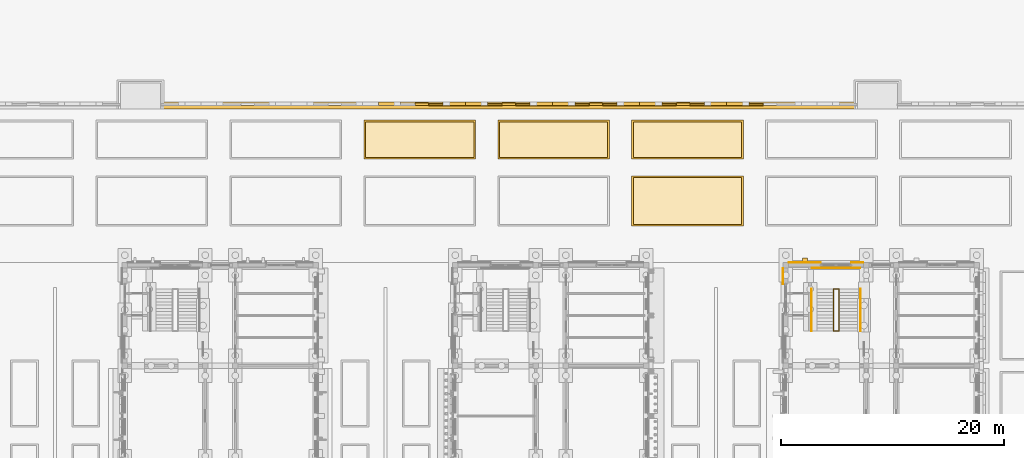
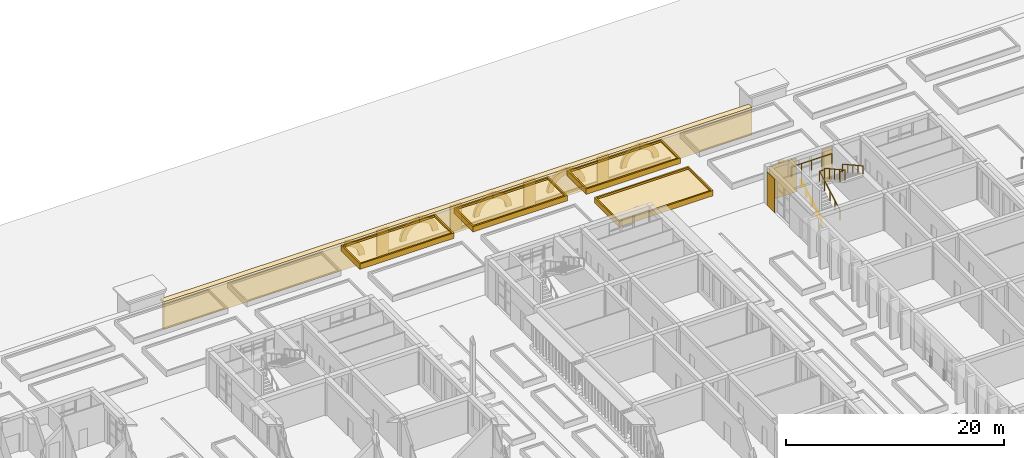
# One storey, part 144 of 161: 31 coverings, 4 railings.
"""IFC4 building model written with IfcOpenShell, lengths in metres."""

from ifc_helpers import new_model, si_unit, direction, frame, origin, origin_2d, place, context, subcontext, project, spatial, polyline, rectangle, circle, outline, extrude, material, layer, layer_set, type_object, element, save


model = new_model("IFC4")

# Units and contexts
model_context = context("Model", 3, precision=1e-05, world=origin(), true_north=direction((0.0, 1.0)))
body_context = subcontext(model_context, "Body", "Model", "MODEL_VIEW")
ifc_project = project(units=[si_unit("LENGTHUNIT", "METRE"), si_unit("AREAUNIT", "SQUARE_METRE"), si_unit("VOLUMEUNIT", "CUBIC_METRE"), si_unit("PLANEANGLEUNIT", "RADIAN"), si_unit("MASSUNIT", "GRAM", prefix="KILO")], contexts=[model_context])

# Site, building, storey
site_placement = place(None, origin())
site = spatial("IfcSite", under=ifc_project, at=site_placement, CompositionType="ELEMENT")
building_placement = place(site_placement, origin())
building = spatial("IfcBuilding", under=site, at=building_placement, Name="Elbe Cascade School", CompositionType="ELEMENT")
storey_placement = place(building_placement, origin())
storey = spatial("IfcBuildingStorey", under=building, at=storey_placement, Name="L00", CompositionType="ELEMENT", Elevation=0.0)

# Railings
ifc_material_1 = material(Name="Steel S355J2H, painted", Category="steel")
railing_type_1 = type_object("IfcRailingType", Name="Bar stair guard 1100", PredefinedType="GUARDRAIL", material=ifc_material_1)
railing_1_placement = place(storey_placement, frame((162.050048828125, 54.10009765625, 0.16064453125)))
element("IfcRailing", 1, at=railing_1_placement, inside=storey, type_object=railing_type_1, Name="Stair guard D0.N", PredefinedType="GUARDRAIL", context=body_context, shape_type="SweptSolid", body=[
    extrude(circle(Radius=0.02392578125, at=origin_2d()), frame((0.0, 0.0, 1.09619140625), z_axis=(0.0, 0.874659101714, 0.484738543742), x_axis=(-1.0, 0.0, 0.0)), (0.0, 0.0, 1.0), 4.310302734375),
    extrude(circle(Radius=0.02392578125, at=origin_2d()), frame((0.0, 3.77001953125, 3.185546875), z_axis=(1.0, 0.0, 0.0), x_axis=(0.0, 1.0, 0.0)), (0.0, 0.0, 1.0), 0.5),
    extrude(circle(Radius=0.02392578125, at=origin_2d()), frame((0.5, 3.77001953125, 3.185546875), z_axis=(0.0, 0.0, 1.0), x_axis=(1.0, 0.0, 0.0)), (0.0, 0.0, 1.0), 0.16064453125),
    extrude(circle(Radius=0.02392578125, at=origin_2d()), frame((0.5, 3.77001953125, 3.34619140625), z_axis=(0.0, -0.874659101714, 0.484738543742), x_axis=(1.0, 0.0, 0.0)), (0.0, 0.0, 1.0), 4.310302734375),
    extrude(circle(Radius=0.02392578125, at=origin_2d()), frame((0.5, 0.0, 5.435546875), z_axis=(-1.0, 0.0, 0.0), x_axis=(0.0, -1.0, 0.0)), (0.0, 0.0, 1.0), 0.5),
    extrude(circle(Radius=0.02099609375, at=origin_2d()), origin(), (0.0, 0.0, 1.0), 1.072021484375),
    extrude(circle(Radius=0.02099609375, at=origin_2d()), frame((0.0, 0.9423828125, 0.5224609375)), (0.0, 0.0, 1.0), 1.072021484375),
    extrude(circle(Radius=0.02099609375, at=origin_2d()), frame((0.0, 1.885009765625, 1.044677734375)), (0.0, 0.0, 1.0), 1.072021484375),
    extrude(circle(Radius=0.02099609375, at=origin_2d()), frame((0.0, 2.82763671875, 1.56689453125)), (0.0, 0.0, 1.0), 1.072021484375),
    extrude(circle(Radius=0.02099609375, at=origin_2d()), frame((0.0, 3.77001953125, 2.08935546875)), (0.0, 0.0, 1.0), 1.072021484375),
    extrude(circle(Radius=0.02099609375, at=origin_2d()), frame((0.5, 3.77001953125, 2.08935546875)), (0.0, 0.0, 1.0), 1.072021484375),
    extrude(circle(Radius=0.02099609375, at=origin_2d()), frame((0.5, 3.77001953125, 2.25)), (0.0, 0.0, 1.0), 1.072021484375),
    extrude(circle(Radius=0.02099609375, at=origin_2d()), frame((0.5, 2.82763671875, 2.7724609375)), (0.0, 0.0, 1.0), 1.072021484375),
    extrude(circle(Radius=0.02099609375, at=origin_2d()), frame((0.5, 1.885009765625, 3.294677734375)), (0.0, 0.0, 1.0), 1.072021484375),
    extrude(circle(Radius=0.02099609375, at=origin_2d()), frame((0.5, 0.9423828125, 3.81689453125)), (0.0, 0.0, 1.0), 1.072021484375),
    extrude(circle(Radius=0.02099609375, at=origin_2d()), frame((0.5, 0.0, 4.33935546875)), (0.0, 0.0, 1.0), 1.072021484375),
    extrude(circle(Radius=0.02099609375, at=origin_2d()), frame((0.0, 0.0, 4.33935546875)), (0.0, 0.0, 1.0), 1.072021484375),
])
railing_2_placement = place(storey_placement, frame((160.159912109375, 59.760009765625, 2.25)))
element("IfcRailing", 2, at=railing_2_placement, inside=storey, type_object=railing_type_1, Name="Stair guard D0.N", PredefinedType="GUARDRAIL", context=body_context, shape_type="SweptSolid", body=[
    extrude(circle(Radius=0.02392578125, at=origin_2d()), frame((0.0, 0.0, 1.09619140625), z_axis=(1.0, 0.0, 0.0), x_axis=(0.0, 1.0, 0.0)), (0.0, 0.0, 1.0), 4.280029296875),
    extrude(circle(Radius=0.02099609375, at=origin_2d()), origin(), (0.0, 0.0, 1.0), 1.072021484375),
    extrude(circle(Radius=0.02099609375, at=origin_2d()), frame((1.070068359375, 0.0, 0.0)), (0.0, 0.0, 1.0), 1.072021484375),
    extrude(circle(Radius=0.02099609375, at=origin_2d()), frame((2.14013671875, 0.0, 0.0)), (0.0, 0.0, 1.0), 1.072021484375),
    extrude(circle(Radius=0.02099609375, at=origin_2d()), frame((3.2099609375, 0.0, 0.0)), (0.0, 0.0, 1.0), 1.072021484375),
    extrude(circle(Radius=0.02099609375, at=origin_2d()), frame((4.280029296875, 0.0, 0.0)), (0.0, 0.0, 1.0), 1.072021484375),
])
ifc_material_2 = material(Name="Steel S355J2H, painted", Category="steel")
railing_type_2 = type_object("IfcRailingType", Name="Bar stair handrail 900", PredefinedType="HANDRAIL", material=ifc_material_2)
railing_3_placement = place(storey_placement, frame((160.10009765625, 54.10009765625, 0.16064453125)))
element("IfcRailing", 3, at=railing_3_placement, inside=storey, type_object=railing_type_2, Name="Stair handrail D0.N", PredefinedType="HANDRAIL", context=body_context, shape_type="SweptSolid", body=[
    extrude(circle(Radius=0.02392578125, at=origin_2d()), frame((0.0, 0.0, 0.8759765625), z_axis=(0.0, 0.874659101714, 0.484738543742), x_axis=(-1.0, 0.0, 0.0)), (0.0, 0.0, 1.0), 4.310302734375),
    extrude(circle(Radius=0.02099609375, at=origin_2d()), origin(), (0.0, 0.0, 1.0), 0.851806640625),
    extrude(circle(Radius=0.02099609375, at=origin_2d()), frame((0.0, 0.9423828125, 0.5224609375)), (0.0, 0.0, 1.0), 0.851806640625),
    extrude(circle(Radius=0.02099609375, at=origin_2d()), frame((0.0, 1.885009765625, 1.044677734375)), (0.0, 0.0, 1.0), 0.851806640625),
    extrude(circle(Radius=0.02099609375, at=origin_2d()), frame((0.0, 2.82763671875, 1.56689453125)), (0.0, 0.0, 1.0), 0.851806640625),
    extrude(circle(Radius=0.02099609375, at=origin_2d()), frame((0.0, 3.77001953125, 2.08935546875)), (0.0, 0.0, 1.0), 0.851806640625),
])
railing_4_placement = place(storey_placement, frame((164.5, 57.8701171875, 2.41064453125)))
element("IfcRailing", 4, at=railing_4_placement, inside=storey, type_object=railing_type_2, Name="Stair handrail D0.N", PredefinedType="HANDRAIL", context=body_context, shape_type="SweptSolid", body=[
    extrude(circle(Radius=0.02392578125, at=origin_2d()), frame((0.0, 0.0, 0.8759765625), z_axis=(0.0, -0.874659101714, 0.484738543742), x_axis=(1.0, 0.0, 0.0)), (0.0, 0.0, 1.0), 4.310302734375),
    extrude(circle(Radius=0.02099609375, at=origin_2d()), origin(), (0.0, 0.0, 1.0), 0.851806640625),
    extrude(circle(Radius=0.02099609375, at=origin_2d()), frame((0.0, -0.9423828125, 0.5224609375)), (0.0, 0.0, 1.0), 0.851806640625),
    extrude(circle(Radius=0.02099609375, at=origin_2d()), frame((0.0, -1.885009765625, 1.044677734375)), (0.0, 0.0, 1.0), 0.851806640625),
    extrude(circle(Radius=0.02099609375, at=origin_2d()), frame((0.0, -2.82763671875, 1.56689453125)), (0.0, 0.0, 1.0), 0.851806640625),
    extrude(circle(Radius=0.02099609375, at=origin_2d()), frame((0.0, -3.77001953125, 2.08935546875)), (0.0, 0.0, 1.0), 0.851806640625),
])

# Coverings
ifc_material_3 = material(Name="Precast concrete C40/50", Category="concrete")
covering_type_1 = type_object("IfcCoveringType", Name="Bars envelope Precast concrete gable fin, 450 wide, 400 deep", PredefinedType="CLADDING", material=ifc_material_3)
covering_1_placement = place(storey_placement, frame((159.5, 60.4599609375, 0.0), z_axis=(0.0, 0.0, 1.0), x_axis=(1.0, 0.0, 0.0)))
element("IfcCovering", 5, at=covering_1_placement, inside=storey, type_object=covering_type_1, Name="Fin CV69 D.L00.n.1", PredefinedType="CLADDING", context=body_context, shape_type="SweptSolid", body=[
    extrude(rectangle(XDim=0.449951171875, YDim=0.39990234375, at=origin_2d()), origin(), (0.0, 0.0, 1.0), 3.800048828125),
])
ifc_material_4 = material(Name="Sandstone - red", Category="masonry")
ifc_layer_1 = layer(ifc_material_4, 0.0400390625)
ifc_layer_set_1 = layer_set([ifc_layer_1], Name="Sandstone - red")
covering_type_2 = type_object("IfcCoveringType", Name="Bars envelope Sandstone cladding, red, 40 mm", PredefinedType="CLADDING", material=ifc_layer_set_1)
covering_2_placement = place(storey_placement, frame((157.56005859375, 59.030029296875, 0.0), z_axis=(0.0, 0.0, 1.0), x_axis=(0.0, 1.0, 0.0)))
element("IfcCovering", 6, at=covering_2_placement, inside=storey, type_object=covering_type_2, Name="Sandstone cladding CV48 D.L00.w.6b.1", PredefinedType="CLADDING", context=body_context, shape_type="SweptSolid", body=[
    extrude(rectangle(XDim=1.43994140625, YDim=0.0400390625, at=origin_2d()), origin(), (0.0, 0.0, 1.0), 3.75),
])
covering_3_placement = place(storey_placement, frame((159.5, 60.239990234375, 0.0), z_axis=(0.0, 0.0, 1.0), x_axis=(1.0, 0.0, 0.0)))
element("IfcCovering", 7, at=covering_3_placement, inside=storey, type_object=covering_type_2, Name="Sandstone cladding CV48 D.L00.n.1a.1", PredefinedType="CLADDING", context=body_context, shape_type="SweptSolid", body=[
    extrude(rectangle(XDim=2.89990234375, YDim=0.0400390625, at=origin_2d()), origin(), (0.0, 0.0, 1.0), 3.800048828125),
])
covering_4_placement = place(storey_placement, frame((164.199951171875, 60.239990234375, 0.0), z_axis=(0.0, 0.0, 1.0), x_axis=(1.0, 0.0, 0.0)))
element("IfcCovering", 8, at=covering_4_placement, inside=storey, type_object=covering_type_2, Name="Sandstone cladding CV48 D.L00.n.1b.1", PredefinedType="CLADDING", context=body_context, shape_type="SweptSolid", body=[
    extrude(rectangle(XDim=1.10009765625, YDim=0.0400390625, at=origin_2d()), origin(), (0.0, 0.0, 1.0), 3.800048828125),
])
ifc_material_5 = material(Name="Sandstone - red", Category="masonry")
ifc_layer_2 = layer(ifc_material_5, 0.14990234375)
ifc_layer_set_2 = layer_set([ifc_layer_2], Name="Sandstone - red")
covering_type_3 = type_object("IfcCoveringType", Name="Plinth base course 150x250", PredefinedType="CLADDING", material=ifc_layer_set_2)
covering_5_placement = place(storey_placement, frame((0.0, 0.0, -3.10009765625)))
element("IfcCovering", 9, at=covering_5_placement, inside=storey, type_object=covering_type_3, Name="Plinth base course north 0.3.4", PredefinedType="CLADDING", context=body_context, shape_type="SweptSolid", body=[
    extrude(outline(polyline([(125.800048828125, 74.300048828125), (132.39990234375, 74.300048828125), (132.39990234375, 74.449951171875), (125.800048828125, 74.449951171875), (125.800048828125, 74.300048828125)])), origin(), (0.0, 0.0, 1.0), 0.25),
])
covering_6_placement = place(storey_placement, frame((0.0, 0.0, -3.10009765625)))
element("IfcCovering", 10, at=covering_6_placement, inside=storey, type_object=covering_type_3, Name="Plinth base course north 0.3.5", PredefinedType="CLADDING", context=body_context, shape_type="SweptSolid", body=[
    extrude(outline(polyline([(133.60009765625, 74.300048828125), (140.199951171875, 74.300048828125), (140.199951171875, 74.449951171875), (133.60009765625, 74.449951171875), (133.60009765625, 74.300048828125)])), origin(), (0.0, 0.0, 1.0), 0.25),
])
covering_7_placement = place(storey_placement, frame((0.0, 0.0, -3.10009765625)))
element("IfcCovering", 11, at=covering_7_placement, inside=storey, type_object=covering_type_3, Name="Plinth base course north 0.3.6", PredefinedType="CLADDING", context=body_context, shape_type="SweptSolid", body=[
    extrude(outline(polyline([(141.39990234375, 74.300048828125), (148.0, 74.300048828125), (148.0, 74.449951171875), (141.39990234375, 74.449951171875), (141.39990234375, 74.300048828125)])), origin(), (0.0, 0.0, 1.0), 0.25),
])
covering_8_placement = place(storey_placement, frame((0.0, 0.0, -3.10009765625)))
element("IfcCovering", 12, at=covering_8_placement, inside=storey, type_object=covering_type_3, Name="Plinth base course north 0.3.7", PredefinedType="CLADDING", context=body_context, shape_type="SweptSolid", body=[
    extrude(outline(polyline([(149.199951171875, 74.300048828125), (155.800048828125, 74.300048828125), (155.800048828125, 74.449951171875), (149.199951171875, 74.449951171875), (149.199951171875, 74.300048828125)])), origin(), (0.0, 0.0, 1.0), 0.25),
])
ifc_material_6 = material(Name="Sandstone - red", Category="masonry")
ifc_layer_3 = layer(ifc_material_6, 0.25)
ifc_layer_set_3 = layer_set([ifc_layer_3], Name="Sandstone - red")
covering_type_4 = type_object("IfcCoveringType", Name="Plinth coping 600x250", PredefinedType="CLADDING", material=ifc_layer_set_3)
covering_9_placement = place(storey_placement, frame((0.0, 0.0, -0.25)))
element("IfcCovering", 13, at=covering_9_placement, inside=storey, type_object=covering_type_4, Name="Plinth coping north 3", PredefinedType="CLADDING", context=body_context, shape_type="SweptSolid", body=[
    extrude(outline(polyline([(101.800048828125, 74.0), (164.199951171875, 74.0), (164.199951171875, 74.60009765625), (101.800048828125, 74.60009765625), (101.800048828125, 74.0)])), origin(), (0.0, 0.0, 1.0), 0.25),
])
ifc_material_7 = material(Name="Sandstone - red", Category="masonry")
ifc_layer_4 = layer(ifc_material_7, 0.300048828125)
ifc_layer_set_4 = layer_set([ifc_layer_4], Name="Sandstone - red")
covering_type_5 = type_object("IfcCoveringType", Name="Plinth facing 300", PredefinedType="CLADDING", material=ifc_layer_set_4)
covering_10_placement = place(storey_placement, frame((0.0, 0.0, -3.10009765625)))
element("IfcCovering", 14, at=covering_10_placement, inside=storey, type_object=covering_type_5, Name="Plinth facing north 3", PredefinedType="CLADDING", context=body_context, shape_type="SweptSolid", body=[
    extrude(outline(polyline([(101.800048828125, 74.0), (164.199951171875, 74.0), (164.199951171875, 74.300048828125), (101.800048828125, 74.300048828125), (101.800048828125, 74.0)])), origin(), (0.0, 0.0, 1.0), 2.85009765625),
])
ifc_material_8 = material(Name="Sandstone - red", Category="masonry")
ifc_layer_5 = layer(ifc_material_8, 0.300048828125)
ifc_layer_set_5 = layer_set([ifc_layer_5], Name="Sandstone - red")
covering_type_6 = type_object("IfcCoveringType", Name="Plinth niche arch band 600x300", PredefinedType="CLADDING", material=ifc_layer_set_5)
covering_11_placement = place(storey_placement, frame((123.300048828125, 74.60009765625, -2.35009765625), z_axis=(0.0, 1.0, 0.0), x_axis=(-1.0, 0.0, 0.0)))
element("IfcCovering", 15, at=covering_11_placement, inside=storey, type_object=covering_type_6, Name="Plinth niche arch band north 0.3.3a", PredefinedType="CLADDING", context=body_context, shape_type="SweptSolid", body=[
    extrude(outline(polyline([(0.0, 0.0), (0.60009765625, 0.0), (0.6171875, 0.221923828125), (0.66796875, 0.438720703125), (0.75146484375, 0.64501953125), (0.865234375, 0.83642578125), (1.007080078125, 1.0078125), (1.173583984375, 1.15576171875), (1.36083984375, 1.2763671875), (1.56396484375, 1.366943359375), (1.77880859375, 1.42529296875), (2.0, 1.4501953125), (2.0, 2.05029296875), (1.68505859375, 2.01806640625), (1.378662109375, 1.9375), (1.088134765625, 1.81103515625), (0.82080078125, 1.64111328125), (0.582763671875, 1.43212890625), (0.3798828125, 1.189208984375), (0.216796875, 0.91748046875), (0.097412109375, 0.624267578125), (0.024658203125, 0.31591796875), (0.0, 0.0)])), origin(), (0.0, 0.0, -1.0), 0.300048828125),
])
covering_12_placement = place(storey_placement, frame((131.10009765625, 74.60009765625, -2.35009765625), z_axis=(0.0, 1.0, 0.0), x_axis=(-1.0, 0.0, 0.0)))
element("IfcCovering", 16, at=covering_12_placement, inside=storey, type_object=covering_type_6, Name="Plinth niche arch band north 0.3.4a", PredefinedType="CLADDING", context=body_context, shape_type="SweptSolid", body=[
    extrude(outline(polyline([(0.0, 0.0), (0.60009765625, 0.0), (0.6171875, 0.221923828125), (0.66796875, 0.438720703125), (0.75146484375, 0.64501953125), (0.865234375, 0.83642578125), (1.007080078125, 1.0078125), (1.173583984375, 1.15576171875), (1.36083984375, 1.2763671875), (1.564208984375, 1.366943359375), (1.77880859375, 1.42529296875), (2.0, 1.4501953125), (2.0, 2.05029296875), (1.68505859375, 2.01806640625), (1.378662109375, 1.9375), (1.08837890625, 1.81103515625), (0.82080078125, 1.64111328125), (0.5830078125, 1.43212890625), (0.3798828125, 1.189208984375), (0.216796875, 0.91748046875), (0.097412109375, 0.624267578125), (0.024658203125, 0.31591796875), (0.0, 0.0)])), origin(), (0.0, 0.0, -1.0), 0.300048828125),
])
covering_13_placement = place(storey_placement, frame((127.12451171875, 74.60009765625, -2.0341796875), z_axis=(0.0, 1.0, 0.0), x_axis=(0.229640615433, 0.0, 0.973275494268)))
element("IfcCovering", 17, at=covering_13_placement, inside=storey, type_object=covering_type_6, Name="Plinth niche arch band north 0.3.4b", PredefinedType="CLADDING", context=body_context, shape_type="SweptSolid", body=[
    extrude(outline(polyline([(0.0, 0.0), (0.31681637027835047, 0.0), (0.6296088823787412, 0.04886067811575373), (0.9315267427864806, 0.14518832098545423), (1.2146004998268738, 0.2871006253983999), (1.4726628589921735, 0.4707850101886869), (1.699434396567878, 0.6919536620154754), (1.8891803432917578, 0.9454377254653902), (2.037954729394572, 1.2251445961231031), (2.1416994559003246, 1.5245064373983495), (1.5576391129042635, 1.662313232499558), (1.4826077413227772, 1.4527516467981305), (1.3764806454459984, 1.2570489300335477), (1.2416232623821883, 1.0799146970257483), (1.081295428986102, 0.9255966880936953), (0.8990640204772993, 0.7975176660871937), (0.6996279279093016, 0.6985824547516934), (0.4872108101606949, 0.6318080070394001), (0.26725112189532263, 0.5979178949791348), (0.04458659872137888, 0.5982791165847868), (-0.17533094702333402, 0.6326087149319284), (-0.3130816775211652, 0.04878598802333507), (0.0, 0.0)])), origin(), (0.0, 0.0, -1.0), 0.300048828125),
])
covering_14_placement = place(storey_placement, frame((138.89990234375, 74.60009765625, -2.35009765625), z_axis=(0.0, 1.0, 0.0), x_axis=(-1.0, 0.0, 0.0)))
element("IfcCovering", 18, at=covering_14_placement, inside=storey, type_object=covering_type_6, Name="Plinth niche arch band north 0.3.5a", PredefinedType="CLADDING", context=body_context, shape_type="SweptSolid", body=[
    extrude(outline(polyline([(0.0, 0.0), (0.599853515625, 0.0), (0.616943359375, 0.221923828125), (0.667724609375, 0.438720703125), (0.751220703125, 0.64501953125), (0.864990234375, 0.83642578125), (1.007080078125, 1.0078125), (1.173583984375, 1.15576171875), (1.360595703125, 1.2763671875), (1.56396484375, 1.366943359375), (1.77880859375, 1.42529296875), (2.0, 1.4501953125), (2.0, 2.05029296875), (1.684814453125, 2.01806640625), (1.37841796875, 1.9375), (1.088134765625, 1.81103515625), (0.82080078125, 1.64111328125), (0.582763671875, 1.43212890625), (0.379638671875, 1.189208984375), (0.216552734375, 0.91748046875), (0.09716796875, 0.624267578125), (0.0244140625, 0.31591796875), (0.0, 0.0)])), origin(), (0.0, 0.0, -1.0), 0.300048828125),
])
covering_15_placement = place(storey_placement, frame((134.924560546875, 74.60009765625, -2.0341796875), z_axis=(0.0, 1.0, 0.0), x_axis=(0.229640615433, 0.0, 0.973275494268)))
element("IfcCovering", 19, at=covering_15_placement, inside=storey, type_object=covering_type_6, Name="Plinth niche arch band north 0.3.5b", PredefinedType="CLADDING", context=body_context, shape_type="SweptSolid", body=[
    extrude(outline(polyline([(0.0, 0.0), (0.31681637027835047, 0.0), (0.6296088823787412, 0.04886067811575373), (0.9315267427864806, 0.14518832098545423), (1.2146004998268738, 0.2871006253983999), (1.4726067943887962, 0.47054739410121904), (1.699434396567878, 0.6919536620154754), (1.8891803432917578, 0.9454377254653902), (2.037954729394572, 1.2251445961231031), (2.1416433912969475, 1.5242688213108815), (1.5575830483008861, 1.66207561641209), (1.4825516767193998, 1.4525140307106628), (1.3764806454459984, 1.2570489300335477), (1.2416232623821883, 1.0799146970257483), (1.0812393643827247, 0.9253590720062276), (0.899007955873922, 0.7972800499997257), (0.6996279279093016, 0.6985824547516934), (0.4872108101606949, 0.6318080070394001), (0.26725112189532263, 0.5979178949791348), (0.04458659872137888, 0.5982791165847868), (-0.17533094702333402, 0.6326087149319284), (-0.3131377421245425, 0.04854837193586718), (0.0, 0.0)])), origin(), (0.0, 0.0, -1.0), 0.300048828125),
])
covering_16_placement = place(storey_placement, frame((146.699951171875, 74.60009765625, -2.35009765625), z_axis=(0.0, 1.0, 0.0), x_axis=(-1.0, 0.0, 0.0)))
element("IfcCovering", 20, at=covering_16_placement, inside=storey, type_object=covering_type_6, Name="Plinth niche arch band north 0.3.6a", PredefinedType="CLADDING", context=body_context, shape_type="SweptSolid", body=[
    extrude(outline(polyline([(0.0, 0.0), (0.599853515625, 0.0), (0.616943359375, 0.221923828125), (0.66796875, 0.438720703125), (0.751220703125, 0.64501953125), (0.865234375, 0.83642578125), (1.007080078125, 1.0078125), (1.173583984375, 1.15576171875), (1.360595703125, 1.2763671875), (1.56396484375, 1.366943359375), (1.77880859375, 1.42529296875), (2.0, 1.4501953125), (2.0, 2.05029296875), (1.684814453125, 2.01806640625), (1.37841796875, 1.9375), (1.088134765625, 1.81103515625), (0.82080078125, 1.64111328125), (0.582763671875, 1.43212890625), (0.379638671875, 1.189208984375), (0.216552734375, 0.91748046875), (0.09716796875, 0.624267578125), (0.0244140625, 0.31591796875), (0.0, 0.0)])), origin(), (0.0, 0.0, -1.0), 0.300048828125),
])
covering_17_placement = place(storey_placement, frame((142.724609375, 74.60009765625, -2.0341796875), z_axis=(0.0, 1.0, 0.0), x_axis=(0.229640615433, 0.0, 0.973275494268)))
element("IfcCovering", 21, at=covering_17_placement, inside=storey, type_object=covering_type_6, Name="Plinth niche arch band north 0.3.6b", PredefinedType="CLADDING", context=body_context, shape_type="SweptSolid", body=[
    extrude(outline(polyline([(0.0, 0.0), (0.31681637027835047, 0.0), (0.6296088823787412, 0.04886067811575373), (0.9315267427864806, 0.14518832098545423), (1.2145444352234966, 0.28686300931093206), (1.4726067943887962, 0.47054739410121904), (1.6993783319645008, 0.6917160459280074), (1.8891803432917578, 0.9454377254653902), (2.037954729394572, 1.2251445961231031), (2.1416433912969475, 1.5242688213108815), (1.5575830483008861, 1.66207561641209), (1.4825516767193998, 1.4525140307106628), (1.3764245808426212, 1.2568113139460797), (1.2416232623821883, 1.0799146970257483), (1.0812393643827247, 0.9253590720062276), (0.899007955873922, 0.7972800499997257), (0.6996279279093016, 0.6985824547516934), (0.4872108101606949, 0.6318080070394001), (0.26725112189532263, 0.5979178949791348), (0.04458659872137888, 0.5982791165847868), (-0.17533094702333402, 0.6326087149319284), (-0.3131377421245425, 0.04854837193586718), (0.0, 0.0)])), origin(), (0.0, 0.0, -1.0), 0.300048828125),
])
covering_18_placement = place(storey_placement, frame((154.5, 74.60009765625, -2.35009765625), z_axis=(0.0, 1.0, 0.0), x_axis=(-1.0, 0.0, 0.0)))
element("IfcCovering", 22, at=covering_18_placement, inside=storey, type_object=covering_type_6, Name="Plinth niche arch band north 0.3.7a", PredefinedType="CLADDING", context=body_context, shape_type="SweptSolid", body=[
    extrude(outline(polyline([(0.0, 0.0), (0.60009765625, 0.0), (0.6171875, 0.221923828125), (0.66796875, 0.438720703125), (0.751220703125, 0.64501953125), (0.865234375, 0.83642578125), (1.007080078125, 1.0078125), (1.173583984375, 1.15576171875), (1.360595703125, 1.2763671875), (1.56396484375, 1.366943359375), (1.77880859375, 1.42529296875), (2.0, 1.4501953125), (2.0, 2.05029296875), (1.684814453125, 2.01806640625), (1.37841796875, 1.9375), (1.088134765625, 1.81103515625), (0.82080078125, 1.64111328125), (0.582763671875, 1.43212890625), (0.3798828125, 1.189208984375), (0.216796875, 0.91748046875), (0.097412109375, 0.624267578125), (0.0244140625, 0.31591796875), (0.0, 0.0)])), origin(), (0.0, 0.0, -1.0), 0.300048828125),
])
covering_19_placement = place(storey_placement, frame((150.5244140625, 74.60009765625, -2.0341796875), z_axis=(0.0, 1.0, 0.0), x_axis=(0.230370389833, 0.0, 0.973103017922)))
element("IfcCovering", 23, at=covering_19_placement, inside=storey, type_object=covering_type_6, Name="Plinth niche arch band north 0.3.7b", PredefinedType="CLADDING", context=body_context, shape_type="SweptSolid", body=[
    extrude(outline(polyline([(0.0, 0.0), (0.31687252397341076, 0.0), (0.6297015877312577, 0.04862610780633542), (0.9316915973394285, 0.14472732169500946), (1.2148154490930958, 0.2861897411309222), (1.473015476785429, 0.46968055870342257), (1.6999528003548228, 0.6906790971069348), (1.8898887761347143, 0.9440208027650488), (2.038872866748509, 1.2236160319757423), (2.1428420492777027, 1.522899993079024), (1.558885208933074, 1.6611447240869763), (1.4836967125911875, 1.4516394617641843), (1.37742289317322, 1.2560163825158634), (1.2424327187641548, 1.0789833260459185), (1.0819892105939604, 0.9247855869954477), (0.8996618095377079, 0.7968432525266855), (0.7002078263653932, 0.6982951959470896), (0.4876844528052212, 0.6314424801900893), (0.2677556556673356, 0.5979548948134422), (0.04509146597014914, 0.5984830877928479), (-0.17480027489389646, 0.6329775880622152), (-0.3130450059018489, 0.0490207477175865), (0.0, 0.0)])), origin(), (0.0, 0.0, -1.0), 0.300048828125),
])
ifc_material_9 = material(Name="Sandstone - red", Category="masonry")
ifc_layer_6 = layer(ifc_material_9, 0.25)
ifc_layer_set_6 = layer_set([ifc_layer_6], Name="Sandstone - red")
covering_type_7 = type_object("IfcCoveringType", Name="Plinth pilaster 1200x250", PredefinedType="CLADDING", material=ifc_layer_set_6)
covering_20_placement = place(storey_placement, frame((0.0, 0.0, -3.10009765625)))
element("IfcCovering", 24, at=covering_20_placement, inside=storey, type_object=covering_type_7, Name="Plinth pilaster north 0.3.3", PredefinedType="CLADDING", context=body_context, shape_type="SweptSolid", body=[
    extrude(outline(polyline([(124.60009765625, 74.300048828125), (125.800048828125, 74.300048828125), (125.800048828125, 74.550048828125), (124.60009765625, 74.550048828125), (124.60009765625, 74.300048828125)])), origin(), (0.0, 0.0, 1.0), 2.85009765625),
])
covering_21_placement = place(storey_placement, frame((0.0, 0.0, -3.10009765625)))
element("IfcCovering", 25, at=covering_21_placement, inside=storey, type_object=covering_type_7, Name="Plinth pilaster north 0.3.4", PredefinedType="CLADDING", context=body_context, shape_type="SweptSolid", body=[
    extrude(outline(polyline([(132.39990234375, 74.300048828125), (133.60009765625, 74.300048828125), (133.60009765625, 74.550048828125), (132.39990234375, 74.550048828125), (132.39990234375, 74.300048828125)])), origin(), (0.0, 0.0, 1.0), 2.85009765625),
])
covering_22_placement = place(storey_placement, frame((0.0, 0.0, -3.10009765625)))
element("IfcCovering", 26, at=covering_22_placement, inside=storey, type_object=covering_type_7, Name="Plinth pilaster north 0.3.5", PredefinedType="CLADDING", context=body_context, shape_type="SweptSolid", body=[
    extrude(outline(polyline([(140.199951171875, 74.300048828125), (141.39990234375, 74.300048828125), (141.39990234375, 74.550048828125), (140.199951171875, 74.550048828125), (140.199951171875, 74.300048828125)])), origin(), (0.0, 0.0, 1.0), 2.85009765625),
])
covering_23_placement = place(storey_placement, frame((0.0, 0.0, -3.10009765625)))
element("IfcCovering", 27, at=covering_23_placement, inside=storey, type_object=covering_type_7, Name="Plinth pilaster north 0.3.6", PredefinedType="CLADDING", context=body_context, shape_type="SweptSolid", body=[
    extrude(outline(polyline([(148.0, 74.300048828125), (149.199951171875, 74.300048828125), (149.199951171875, 74.550048828125), (148.0, 74.550048828125), (148.0, 74.300048828125)])), origin(), (0.0, 0.0, 1.0), 2.85009765625),
])
ifc_material_10 = material(Name="Planting - soil and shrubs", Category="soil")
ifc_layer_7 = layer(ifc_material_10, 0.39990234375)
ifc_layer_set_7 = layer_set([ifc_layer_7], Name="Planting - soil and shrubs")
covering_type_8 = type_object("IfcCoveringType", Name="Site planting bed 400", PredefinedType="USERDEFINED", material=ifc_layer_set_7)
covering_24_placement = place(storey_placement, origin())
element("IfcCovering", 28, at=covering_24_placement, inside=storey, type_object=covering_type_8, Name="Deck planting bed north b.5", ObjectType="PLANTING BED", PredefinedType="USERDEFINED", context=body_context, shape_type="SweptSolid", body=[
    extrude(outline(polyline([(120.14990234375, 69.64990234375), (129.85009765625, 69.64990234375), (129.85009765625, 72.85009765625), (120.14990234375, 72.85009765625), (120.14990234375, 69.64990234375)])), origin(), (0.0, 0.0, 1.0), 0.39990234375),
])
covering_25_placement = place(storey_placement, origin())
element("IfcCovering", 29, at=covering_25_placement, inside=storey, type_object=covering_type_8, Name="Deck planting bed north b.6", ObjectType="PLANTING BED", PredefinedType="USERDEFINED", context=body_context, shape_type="SweptSolid", body=[
    extrude(outline(polyline([(132.14990234375, 69.64990234375), (141.85009765625, 69.64990234375), (141.85009765625, 72.85009765625), (132.14990234375, 72.85009765625), (132.14990234375, 69.64990234375)])), origin(), (0.0, 0.0, 1.0), 0.39990234375),
])
covering_26_placement = place(storey_placement, origin())
element("IfcCovering", 30, at=covering_26_placement, inside=storey, type_object=covering_type_8, Name="Deck planting bed north a.7", ObjectType="PLANTING BED", PredefinedType="USERDEFINED", context=body_context, shape_type="SweptSolid", body=[
    extrude(outline(polyline([(144.14990234375, 63.64990234375), (153.85009765625, 63.64990234375), (153.85009765625, 67.85009765625), (144.14990234375, 67.85009765625), (144.14990234375, 63.64990234375)])), origin(), (0.0, 0.0, 1.0), 0.39990234375),
])
covering_27_placement = place(storey_placement, origin())
element("IfcCovering", 31, at=covering_27_placement, inside=storey, type_object=covering_type_8, Name="Deck planting bed north b.7", ObjectType="PLANTING BED", PredefinedType="USERDEFINED", context=body_context, shape_type="SweptSolid", body=[
    extrude(outline(polyline([(144.14990234375, 69.64990234375), (153.85009765625, 69.64990234375), (153.85009765625, 72.85009765625), (144.14990234375, 72.85009765625), (144.14990234375, 69.64990234375)])), origin(), (0.0, 0.0, 1.0), 0.39990234375),
])
ifc_material_11 = material(Name="Concrete C30/37 precast kerb", Category="concrete")
ifc_layer_8 = layer(ifc_material_11, 0.14990234375)
ifc_layer_set_8 = layer_set([ifc_layer_8], Name="Concrete C30/37 precast kerb")
covering_type_9 = type_object("IfcCoveringType", Name="Site planting bed kerb 150x600", PredefinedType="CLADDING", material=ifc_layer_set_8)
covering_28_placement = place(storey_placement, origin())
element("IfcCovering", 32, at=covering_28_placement, inside=storey, type_object=covering_type_9, Name="Deck planting bed kerb north b.5", PredefinedType="CLADDING", context=body_context, shape_type="SweptSolid", body=[
    extrude(outline(polyline([(120.0, 69.5), (130.0, 69.5), (130.0, 73.0), (120.0, 73.0), (120.0, 69.5)]), holes=[polyline([(120.14990234375, 69.64990234375), (129.85009765625, 69.64990234375), (129.85009765625, 72.85009765625), (120.14990234375, 72.85009765625), (120.14990234375, 69.64990234375)])]), origin(), (0.0, 0.0, 1.0), 0.60009765625),
])
covering_29_placement = place(storey_placement, origin())
element("IfcCovering", 33, at=covering_29_placement, inside=storey, type_object=covering_type_9, Name="Deck planting bed kerb north b.6", PredefinedType="CLADDING", context=body_context, shape_type="SweptSolid", body=[
    extrude(outline(polyline([(132.0, 69.5), (142.0, 69.5), (142.0, 73.0), (132.0, 73.0), (132.0, 69.5)]), holes=[polyline([(132.14990234375, 69.64990234375), (141.85009765625, 69.64990234375), (141.85009765625, 72.85009765625), (132.14990234375, 72.85009765625), (132.14990234375, 69.64990234375)])]), origin(), (0.0, 0.0, 1.0), 0.60009765625),
])
covering_30_placement = place(storey_placement, origin())
element("IfcCovering", 34, at=covering_30_placement, inside=storey, type_object=covering_type_9, Name="Deck planting bed kerb north a.7", PredefinedType="CLADDING", context=body_context, shape_type="SweptSolid", body=[
    extrude(outline(polyline([(144.0, 63.5), (154.0, 63.5), (154.0, 68.0), (144.0, 68.0), (144.0, 63.5)]), holes=[polyline([(144.14990234375, 63.64990234375), (153.85009765625, 63.64990234375), (153.85009765625, 67.85009765625), (144.14990234375, 67.85009765625), (144.14990234375, 63.64990234375)])]), origin(), (0.0, 0.0, 1.0), 0.60009765625),
])
covering_31_placement = place(storey_placement, origin())
element("IfcCovering", 35, at=covering_31_placement, inside=storey, type_object=covering_type_9, Name="Deck planting bed kerb north b.7", PredefinedType="CLADDING", context=body_context, shape_type="SweptSolid", body=[
    extrude(outline(polyline([(144.0, 69.5), (154.0, 69.5), (154.0, 73.0), (144.0, 73.0), (144.0, 69.5)]), holes=[polyline([(144.14990234375, 69.64990234375), (153.85009765625, 69.64990234375), (153.85009765625, 72.85009765625), (144.14990234375, 72.85009765625), (144.14990234375, 69.64990234375)])]), origin(), (0.0, 0.0, 1.0), 0.60009765625),
])

save(model, "model.ifc")
